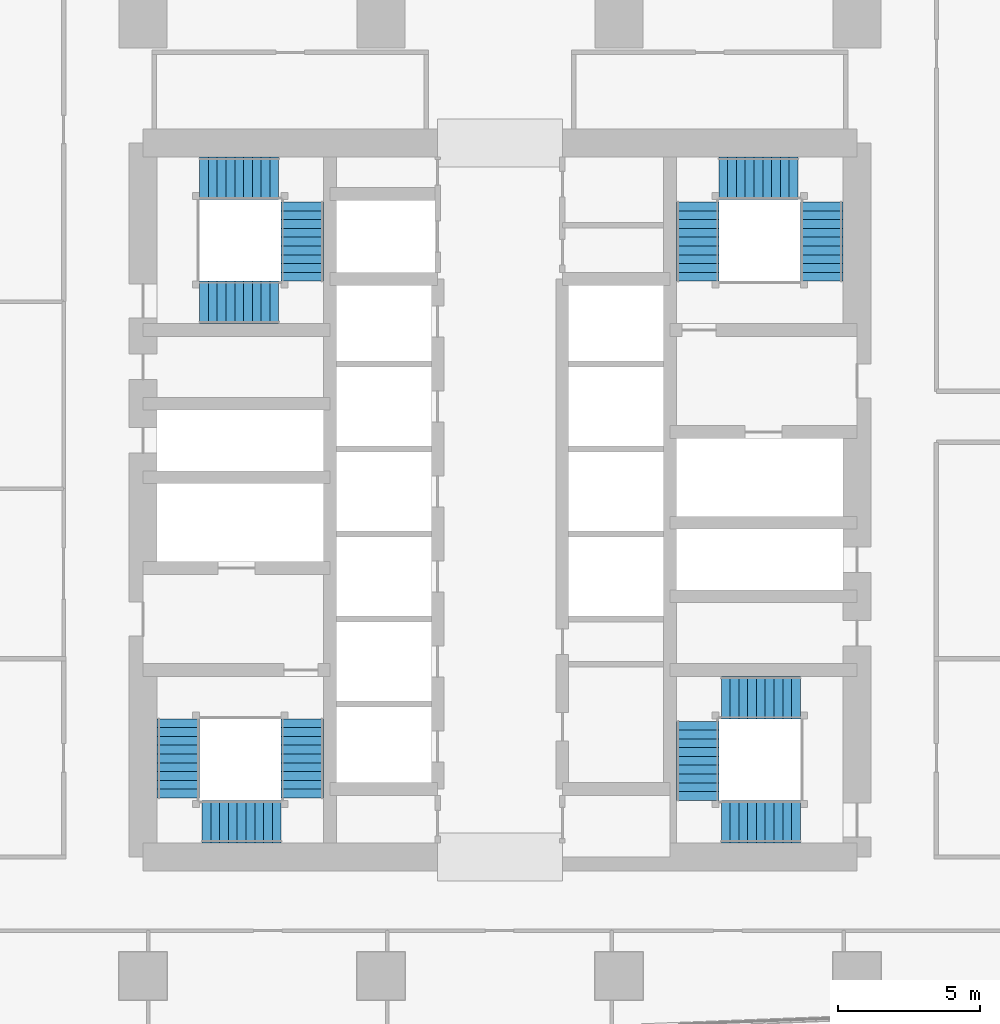
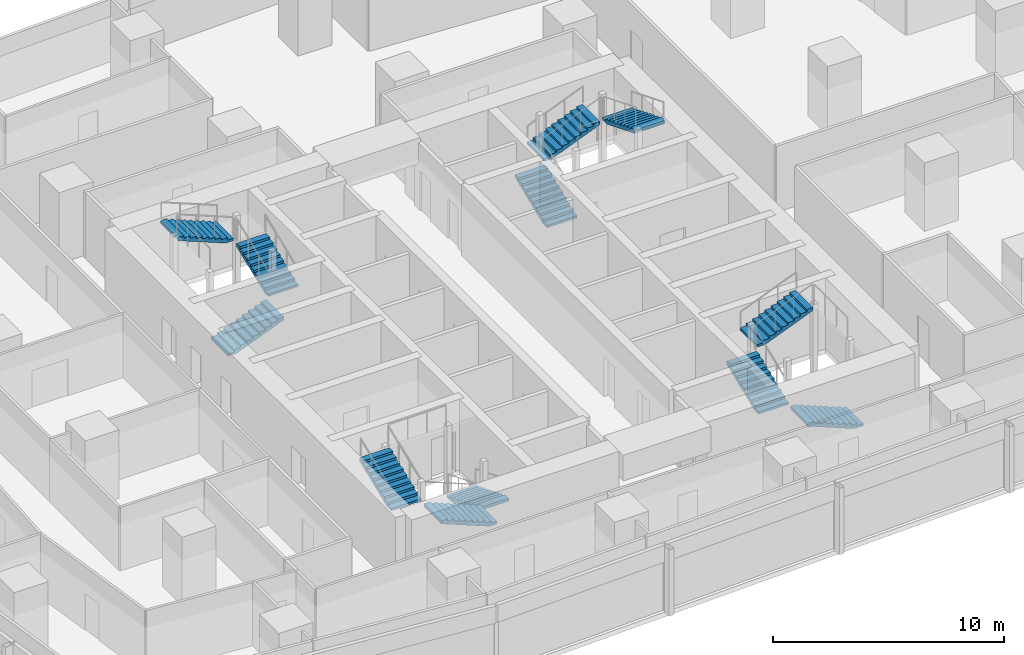
# One storey, part 32 of 40: 12 stair flights, 4 elements without a shape of their own.
"""IFC4 building model written with IfcOpenShell, lengths in metres."""

from ifc_helpers import new_model, si_unit, direction, frame, origin, place, context, subcontext, project, spatial, polyline, outline, extrude, material, type_object, element, aggregate, save


model = new_model("IFC4")

# Units and contexts
model_context = context("Model", 3, precision=1e-05, world=origin(), true_north=direction((0.0, 1.0)))
body_context = subcontext(model_context, "Body", "Model", "MODEL_VIEW")
ifc_project = project(units=[si_unit("LENGTHUNIT", "METRE"), si_unit("AREAUNIT", "SQUARE_METRE"), si_unit("VOLUMEUNIT", "CUBIC_METRE"), si_unit("PLANEANGLEUNIT", "RADIAN"), si_unit("MASSUNIT", "GRAM", prefix="KILO")], contexts=[model_context])

# Site, building, storey
site_placement = place(None, origin())
site = spatial("IfcSite", under=ifc_project, at=site_placement, CompositionType="ELEMENT")
building_placement = place(site_placement, origin())
building = spatial("IfcBuilding", under=site, at=building_placement, Name="Rekha Terrace Tower", CompositionType="ELEMENT")
storey_placement = place(building_placement, frame((0.0, 0.0, 132.800048828125)))
storey = spatial("IfcBuildingStorey", under=building, at=storey_placement, Name="L33", CompositionType="ELEMENT", Elevation=132.800048828125)

# Stair, stair flights
ifc_material = material(Name="Concrete M40", Category="concrete")
stair_type = type_object("IfcStairType", Name="ST30 stair, 30 risers of 125, going 310, 1500 wide flights, 3 flights", PredefinedType="HALF_TURN_STAIR", material=ifc_material)
stair_1_placement = place(storey_placement, origin())
stair_1 = element("IfcStair", 1, at=stair_1_placement, inside=storey, type_object=stair_type, Name="Stair ST1 L33 to L34", PredefinedType="HALF_TURN_STAIR")
stair_flight_type = type_object("IfcStairFlightType", Name="SF10 stair flight, 10 risers of 125, going 310, 1500 wide", PredefinedType="STRAIGHT", material=ifc_material)
stair_flight_1_placement = place(storey_placement, frame((30.824951171875, 25.875, 0.0), z_axis=(0.0, 0.0, 1.0), x_axis=(0.0, -1.0, 0.0)))
stair_flight_1 = element("IfcStairFlight", 2, at=stair_flight_1_placement, type_object=stair_flight_type, Name="ST1 flight 1", NumberOfRisers=10, NumberOfTreads=9, PredefinedType="STRAIGHT", RiserHeight=0.125, TreadLength=0.31, context=body_context, shape_type="SweptSolid", body=[
    extrude(outline(polyline([(0.0, 0.0), (0.0, 0.125), (0.31005859375, 0.125), (0.31005859375, 0.25), (0.6201171875, 0.25), (0.6201171875, 0.375), (0.929931640625, 0.375), (0.929931640625, 0.5), (1.239990234375, 0.5), (1.239990234375, 0.625), (1.550048828125, 0.625), (1.550048828125, 0.75), (1.860107421875, 0.75), (1.860107421875, 0.875), (2.169921875, 0.875), (2.169921875, 1.0), (2.47998046875, 1.0), (2.47998046875, 1.125), (2.7900390625, 1.125), (2.7900390625, 1.25), (2.7900390625, 0.96337890625), (0.40087890625, 0.0), (0.0, 0.0)])), frame((0.0, 0.75, 0.0), z_axis=(0.0, -1.0, 0.0), x_axis=(1.0, 0.0, 0.0)), (0.0, 0.0, 1.0), 1.5),
])
stair_flight_2_placement = place(storey_placement, frame((30.074951171875, 22.25, 1.25), z_axis=(0.0, 0.0, 1.0), x_axis=(-1.0, 0.0, 0.0)))
stair_flight_2 = element("IfcStairFlight", 3, at=stair_flight_2_placement, type_object=stair_flight_type, Name="ST1 flight 2", NumberOfRisers=10, NumberOfTreads=9, PredefinedType="STRAIGHT", RiserHeight=0.125, TreadLength=0.31, context=body_context, shape_type="SweptSolid", body=[
    extrude(outline(polyline([(0.0, 0.0), (0.0, 0.125), (0.31005859375, 0.125), (0.31005859375, 0.25), (0.6201171875, 0.25), (0.6201171875, 0.375), (0.929931640625, 0.375), (0.929931640625, 0.5), (1.239990234375, 0.5), (1.239990234375, 0.625), (1.550048828125, 0.625), (1.550048828125, 0.75), (1.860107421875, 0.75), (1.860107421875, 0.875), (2.169921875, 0.875), (2.169921875, 1.0), (2.47998046875, 1.0), (2.47998046875, 1.125), (2.7900390625, 1.125), (2.7900390625, 1.25), (2.7900390625, 0.96337890625), (0.40087890625, 0.0), (0.0, 0.0)])), frame((0.0, 0.75, 0.0), z_axis=(0.0, -1.0, 0.0), x_axis=(1.0, 0.0, 0.0)), (0.0, 0.0, 1.0), 1.5),
])
stair_flight_3_placement = place(storey_placement, frame((26.449951171875, 23.0849609375, 2.5), z_axis=(0.0, 0.0, 1.0), x_axis=(0.0, 1.0, 0.0)))
stair_flight_3 = element("IfcStairFlight", 4, at=stair_flight_3_placement, type_object=stair_flight_type, Name="ST1 flight 3", NumberOfRisers=10, NumberOfTreads=9, PredefinedType="STRAIGHT", RiserHeight=0.125, TreadLength=0.31, context=body_context, shape_type="SweptSolid", body=[
    extrude(outline(polyline([(0.0, 0.0), (0.0, 0.125), (0.31005859375, 0.125), (0.31005859375, 0.25), (0.6201171875, 0.25), (0.6201171875, 0.375), (0.929931640625, 0.375), (0.929931640625, 0.5), (1.239990234375, 0.5), (1.239990234375, 0.625), (1.550048828125, 0.625), (1.550048828125, 0.75), (1.860107421875, 0.75), (1.860107421875, 0.875), (2.169921875, 0.875), (2.169921875, 1.0), (2.47998046875, 1.0), (2.47998046875, 1.125), (2.7900390625, 1.125), (2.7900390625, 1.25), (2.7900390625, 0.96337890625), (0.40087890625, 0.0), (0.0, 0.0)])), frame((0.0, 0.75, 0.0), z_axis=(0.0, -1.0, 0.0), x_axis=(1.0, 0.0, 0.0)), (0.0, 0.0, 1.0), 1.5),
])
aggregate(stair_1, [stair_flight_1, stair_flight_2, stair_flight_3])

stair_2_placement = place(storey_placement, origin())
stair_2 = element("IfcStair", 5, at=stair_2_placement, inside=storey, type_object=stair_type, Name="Stair ST2 L33 to L34", PredefinedType="HALF_TURN_STAIR")
stair_flight_4_placement = place(storey_placement, frame((44.77490234375, 41.324951171875, 0.0), z_axis=(0.0, 0.0, 1.0), x_axis=(0.0, 1.0, 0.0)))
stair_flight_4 = element("IfcStairFlight", 6, at=stair_flight_4_placement, type_object=stair_flight_type, Name="ST2 flight 1", NumberOfRisers=10, NumberOfTreads=9, PredefinedType="STRAIGHT", RiserHeight=0.125, TreadLength=0.31, context=body_context, shape_type="SweptSolid", body=[
    extrude(outline(polyline([(0.0, 0.0), (0.0, 0.125), (0.31005859375, 0.125), (0.31005859375, 0.25), (0.6201171875, 0.25), (0.6201171875, 0.375), (0.929931640625, 0.375), (0.929931640625, 0.5), (1.239990234375, 0.5), (1.239990234375, 0.625), (1.550048828125, 0.625), (1.550048828125, 0.75), (1.860107421875, 0.75), (1.860107421875, 0.875), (2.169921875, 0.875), (2.169921875, 1.0), (2.47998046875, 1.0), (2.47998046875, 1.125), (2.7900390625, 1.125), (2.7900390625, 1.25), (2.7900390625, 0.96337890625), (0.40087890625, 0.0), (0.0, 0.0)])), frame((0.0, 0.75, 0.0), z_axis=(0.0, -1.0, 0.0), x_axis=(1.0, 0.0, 0.0)), (0.0, 0.0, 1.0), 1.5),
])
stair_flight_5_placement = place(storey_placement, frame((45.52490234375, 44.949951171875, 1.25), z_axis=(0.0, 0.0, 1.0), x_axis=(1.0, 0.0, 0.0)))
stair_flight_5 = element("IfcStairFlight", 7, at=stair_flight_5_placement, type_object=stair_flight_type, Name="ST2 flight 2", NumberOfRisers=10, NumberOfTreads=9, PredefinedType="STRAIGHT", RiserHeight=0.125, TreadLength=0.31, context=body_context, shape_type="SweptSolid", body=[
    extrude(outline(polyline([(0.0, 0.0), (0.0, 0.125), (0.31005859375, 0.125), (0.31005859375, 0.25), (0.6201171875, 0.25), (0.6201171875, 0.375), (0.929931640625, 0.375), (0.929931640625, 0.5), (1.239990234375, 0.5), (1.239990234375, 0.625), (1.550048828125, 0.625), (1.550048828125, 0.75), (1.860107421875, 0.75), (1.860107421875, 0.875), (2.169921875, 0.875), (2.169921875, 1.0), (2.47998046875, 1.0), (2.47998046875, 1.125), (2.7900390625, 1.125), (2.7900390625, 1.25), (2.7900390625, 0.96337890625), (0.40087890625, 0.0), (0.0, 0.0)])), frame((0.0, 0.75, 0.0), z_axis=(0.0, -1.0, 0.0), x_axis=(1.0, 0.0, 0.0)), (0.0, 0.0, 1.0), 1.5),
])
stair_flight_6_placement = place(storey_placement, frame((49.14990234375, 44.114990234375, 2.5), z_axis=(0.0, 0.0, 1.0), x_axis=(0.0, -1.0, 0.0)))
stair_flight_6 = element("IfcStairFlight", 8, at=stair_flight_6_placement, type_object=stair_flight_type, Name="ST2 flight 3", NumberOfRisers=10, NumberOfTreads=9, PredefinedType="STRAIGHT", RiserHeight=0.125, TreadLength=0.31, context=body_context, shape_type="SweptSolid", body=[
    extrude(outline(polyline([(0.0, 0.0), (0.0, 0.125), (0.31005859375, 0.125), (0.31005859375, 0.25), (0.6201171875, 0.25), (0.6201171875, 0.375), (0.929931640625, 0.375), (0.929931640625, 0.5), (1.239990234375, 0.5), (1.239990234375, 0.625), (1.550048828125, 0.625), (1.550048828125, 0.75), (1.860107421875, 0.75), (1.860107421875, 0.875), (2.169921875, 0.875), (2.169921875, 1.0), (2.47998046875, 1.0), (2.47998046875, 1.125), (2.7900390625, 1.125), (2.7900390625, 1.25), (2.7900390625, 0.96337890625), (0.40087890625, 0.0), (0.0, 0.0)])), frame((0.0, 0.75, 0.0), z_axis=(0.0, -1.0, 0.0), x_axis=(1.0, 0.0, 0.0)), (0.0, 0.0, 1.0), 1.5),
])
aggregate(stair_2, [stair_flight_4, stair_flight_5, stair_flight_6])

stair_3_placement = place(storey_placement, origin())
stair_3 = element("IfcStair", 9, at=stair_3_placement, inside=storey, type_object=stair_type, Name="Stair ST3 L33 to L34", PredefinedType="HALF_TURN_STAIR")
stair_flight_7_placement = place(storey_placement, frame((48.39990234375, 22.25, 0.0), z_axis=(0.0, 0.0, 1.0), x_axis=(-1.0, 0.0, 0.0)))
stair_flight_7 = element("IfcStairFlight", 10, at=stair_flight_7_placement, type_object=stair_flight_type, Name="ST3 flight 1", NumberOfRisers=10, NumberOfTreads=9, PredefinedType="STRAIGHT", RiserHeight=0.125, TreadLength=0.31, context=body_context, shape_type="SweptSolid", body=[
    extrude(outline(polyline([(0.0, 0.0), (0.0, 0.125), (0.31005859375, 0.125), (0.31005859375, 0.25), (0.6201171875, 0.25), (0.6201171875, 0.375), (0.929931640625, 0.375), (0.929931640625, 0.5), (1.239990234375, 0.5), (1.239990234375, 0.625), (1.550048828125, 0.625), (1.550048828125, 0.75), (1.860107421875, 0.75), (1.860107421875, 0.875), (2.169921875, 0.875), (2.169921875, 1.0), (2.47998046875, 1.0), (2.47998046875, 1.125), (2.7900390625, 1.125), (2.7900390625, 1.25), (2.7900390625, 0.96337890625), (0.40087890625, 0.0), (0.0, 0.0)])), frame((0.0, 0.75, 0.0), z_axis=(0.0, -1.0, 0.0), x_axis=(1.0, 0.0, 0.0)), (0.0, 0.0, 1.0), 1.5),
])
stair_flight_8_placement = place(storey_placement, frame((44.77490234375, 23.0, 1.25), z_axis=(0.0, 0.0, 1.0), x_axis=(0.0, 1.0, 0.0)))
stair_flight_8 = element("IfcStairFlight", 11, at=stair_flight_8_placement, type_object=stair_flight_type, Name="ST3 flight 2", NumberOfRisers=10, NumberOfTreads=9, PredefinedType="STRAIGHT", RiserHeight=0.125, TreadLength=0.31, context=body_context, shape_type="SweptSolid", body=[
    extrude(outline(polyline([(0.0, 0.0), (0.0, 0.125), (0.31005859375, 0.125), (0.31005859375, 0.25), (0.6201171875, 0.25), (0.6201171875, 0.375), (0.929931640625, 0.375), (0.929931640625, 0.5), (1.239990234375, 0.5), (1.239990234375, 0.625), (1.550048828125, 0.625), (1.550048828125, 0.75), (1.860107421875, 0.75), (1.860107421875, 0.875), (2.169921875, 0.875), (2.169921875, 1.0), (2.47998046875, 1.0), (2.47998046875, 1.125), (2.7900390625, 1.125), (2.7900390625, 1.25), (2.7900390625, 0.96337890625), (0.40087890625, 0.0), (0.0, 0.0)])), frame((0.0, 0.75, 0.0), z_axis=(0.0, -1.0, 0.0), x_axis=(1.0, 0.0, 0.0)), (0.0, 0.0, 1.0), 1.5),
])
stair_flight_9_placement = place(storey_placement, frame((45.610107421875, 26.625, 2.5), z_axis=(0.0, 0.0, 1.0), x_axis=(1.0, 0.0, 0.0)))
stair_flight_9 = element("IfcStairFlight", 12, at=stair_flight_9_placement, type_object=stair_flight_type, Name="ST3 flight 3", NumberOfRisers=10, NumberOfTreads=9, PredefinedType="STRAIGHT", RiserHeight=0.125, TreadLength=0.31, context=body_context, shape_type="SweptSolid", body=[
    extrude(outline(polyline([(0.0, 0.0), (0.0, 0.125), (0.31005859375, 0.125), (0.31005859375, 0.25), (0.6201171875, 0.25), (0.6201171875, 0.375), (0.929931640625, 0.375), (0.929931640625, 0.5), (1.239990234375, 0.5), (1.239990234375, 0.625), (1.550048828125, 0.625), (1.550048828125, 0.75), (1.860107421875, 0.75), (1.860107421875, 0.875), (2.169921875, 0.875), (2.169921875, 1.0), (2.47998046875, 1.0), (2.47998046875, 1.125), (2.7900390625, 1.125), (2.7900390625, 1.25), (2.7900390625, 0.96337890625), (0.40087890625, 0.0), (0.0, 0.0)])), frame((0.0, 0.75, 0.0), z_axis=(0.0, -1.0, 0.0), x_axis=(1.0, 0.0, 0.0)), (0.0, 0.0, 1.0), 1.5),
])
aggregate(stair_3, [stair_flight_7, stair_flight_8, stair_flight_9])

stair_4_placement = place(storey_placement, origin())
stair_4 = element("IfcStair", 13, at=stair_4_placement, inside=storey, type_object=stair_type, Name="Stair ST4 L33 to L34", PredefinedType="HALF_TURN_STAIR")
stair_flight_10_placement = place(storey_placement, frame((27.199951171875, 40.574951171875, 0.0), z_axis=(0.0, 0.0, 1.0), x_axis=(1.0, 0.0, 0.0)))
stair_flight_10 = element("IfcStairFlight", 14, at=stair_flight_10_placement, type_object=stair_flight_type, Name="ST4 flight 1", NumberOfRisers=10, NumberOfTreads=9, PredefinedType="STRAIGHT", RiserHeight=0.125, TreadLength=0.31, context=body_context, shape_type="SweptSolid", body=[
    extrude(outline(polyline([(0.0, 0.0), (0.0, 0.125), (0.31005859375, 0.125), (0.31005859375, 0.25), (0.6201171875, 0.25), (0.6201171875, 0.375), (0.929931640625, 0.375), (0.929931640625, 0.5), (1.239990234375, 0.5), (1.239990234375, 0.625), (1.550048828125, 0.625), (1.550048828125, 0.75), (1.860107421875, 0.75), (1.860107421875, 0.875), (2.169921875, 0.875), (2.169921875, 1.0), (2.47998046875, 1.0), (2.47998046875, 1.125), (2.7900390625, 1.125), (2.7900390625, 1.25), (2.7900390625, 0.96337890625), (0.40087890625, 0.0), (0.0, 0.0)])), frame((0.0, 0.75, 0.0), z_axis=(0.0, -1.0, 0.0), x_axis=(1.0, 0.0, 0.0)), (0.0, 0.0, 1.0), 1.5),
])
stair_flight_11_placement = place(storey_placement, frame((30.824951171875, 41.324951171875, 1.25), z_axis=(0.0, 0.0, 1.0), x_axis=(0.0, 1.0, 0.0)))
stair_flight_11 = element("IfcStairFlight", 15, at=stair_flight_11_placement, type_object=stair_flight_type, Name="ST4 flight 2", NumberOfRisers=10, NumberOfTreads=9, PredefinedType="STRAIGHT", RiserHeight=0.125, TreadLength=0.31, context=body_context, shape_type="SweptSolid", body=[
    extrude(outline(polyline([(0.0, 0.0), (0.0, 0.125), (0.31005859375, 0.125), (0.31005859375, 0.25), (0.6201171875, 0.25), (0.6201171875, 0.375), (0.929931640625, 0.375), (0.929931640625, 0.5), (1.239990234375, 0.5), (1.239990234375, 0.625), (1.550048828125, 0.625), (1.550048828125, 0.75), (1.860107421875, 0.75), (1.860107421875, 0.875), (2.169921875, 0.875), (2.169921875, 1.0), (2.47998046875, 1.0), (2.47998046875, 1.125), (2.7900390625, 1.125), (2.7900390625, 1.25), (2.7900390625, 0.96337890625), (0.40087890625, 0.0), (0.0, 0.0)])), frame((0.0, 0.75, 0.0), z_axis=(0.0, -1.0, 0.0), x_axis=(1.0, 0.0, 0.0)), (0.0, 0.0, 1.0), 1.5),
])
stair_flight_12_placement = place(storey_placement, frame((29.989990234375, 44.949951171875, 2.5), z_axis=(0.0, 0.0, 1.0), x_axis=(-1.0, 0.0, 0.0)))
stair_flight_12 = element("IfcStairFlight", 16, at=stair_flight_12_placement, type_object=stair_flight_type, Name="ST4 flight 3", NumberOfRisers=10, NumberOfTreads=9, PredefinedType="STRAIGHT", RiserHeight=0.125, TreadLength=0.31, context=body_context, shape_type="SweptSolid", body=[
    extrude(outline(polyline([(0.0, 0.0), (0.0, 0.125), (0.31005859375, 0.125), (0.31005859375, 0.25), (0.6201171875, 0.25), (0.6201171875, 0.375), (0.929931640625, 0.375), (0.929931640625, 0.5), (1.239990234375, 0.5), (1.239990234375, 0.625), (1.550048828125, 0.625), (1.550048828125, 0.75), (1.860107421875, 0.75), (1.860107421875, 0.875), (2.169921875, 0.875), (2.169921875, 1.0), (2.47998046875, 1.0), (2.47998046875, 1.125), (2.7900390625, 1.125), (2.7900390625, 1.25), (2.7900390625, 0.96337890625), (0.40087890625, 0.0), (0.0, 0.0)])), frame((0.0, 0.75, 0.0), z_axis=(0.0, -1.0, 0.0), x_axis=(1.0, 0.0, 0.0)), (0.0, 0.0, 1.0), 1.5),
])
aggregate(stair_4, [stair_flight_10, stair_flight_11, stair_flight_12])

save(model, "model.ifc")
